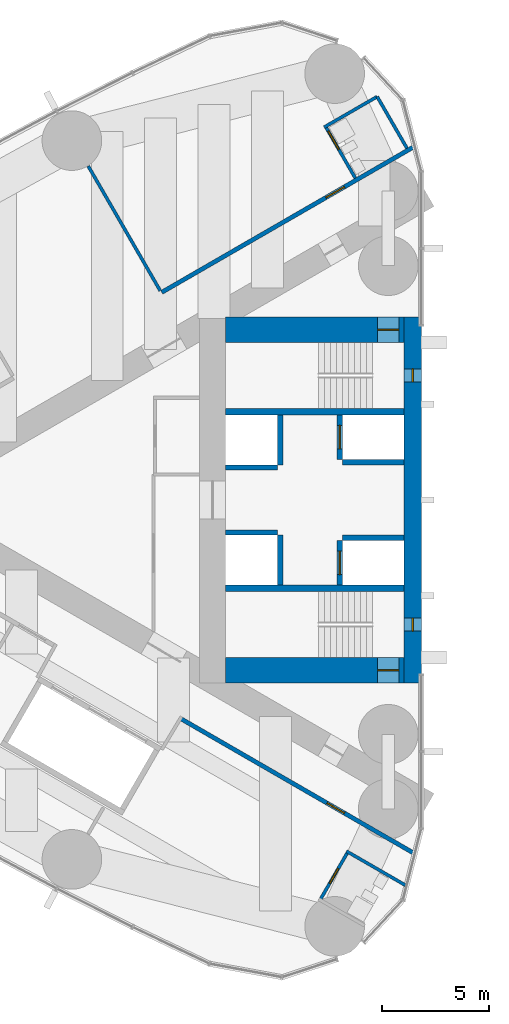
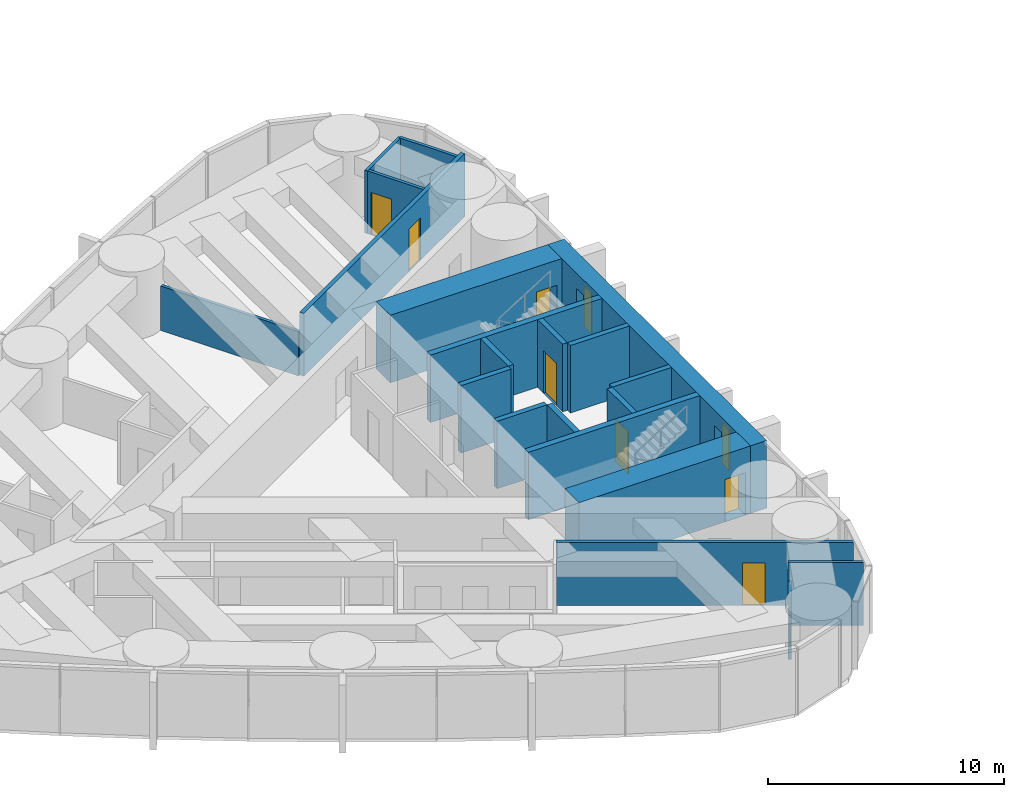
# One storey, part 13 of 18: 21 walls, 8 doors, 2 windows, 10 openings.
"""IFC4 building model written with IfcOpenShell, lengths in metres."""

from ifc_helpers import new_model, si_unit, direction, frame, frame_2d, origin, place, context, subcontext, project, spatial, rectangle, extrude, material, layer, layer_set, type_object, element, fill, save


model = new_model("IFC4")

# Units and contexts
model_context = context("Model", 3, precision=1e-05, world=origin(), true_north=direction((0.0, 1.0)))
body_context = subcontext(model_context, "Body", "Model", "MODEL_VIEW")
ifc_project = project(units=[si_unit("LENGTHUNIT", "METRE"), si_unit("AREAUNIT", "SQUARE_METRE"), si_unit("VOLUMEUNIT", "CUBIC_METRE"), si_unit("PLANEANGLEUNIT", "RADIAN"), si_unit("MASSUNIT", "GRAM", prefix="KILO")], contexts=[model_context])

# Site, building, storey
site_placement = place(None, origin())
site = spatial("IfcSite", under=ifc_project, at=site_placement, CompositionType="ELEMENT")
building_placement = place(site_placement, origin())
building = spatial("IfcBuilding", under=site, at=building_placement, Name="Lancet Gate Hotel", CompositionType="ELEMENT")
storey_placement = place(building_placement, frame((0.0, 0.0, 187.800048828125)))
storey = spatial("IfcBuildingStorey", under=building, at=storey_placement, Name="L50", CompositionType="ELEMENT", Elevation=187.800048828125)

# Wall
ifc_material_1 = material(Name="Moisture resistant board partition")
ifc_layer_1 = layer(ifc_material_1, 0.14990234375)
ifc_layer_set_1 = layer_set([ifc_layer_1], Name="Bathroom wall 150")
wall_type_1 = type_object("IfcWallType", Name="Bathroom wall 150", PredefinedType="PARTITIONING", material=ifc_layer_set_1)
wall_1_placement = place(storey_placement, frame((-29.56982421875, 18.936279296875, 0.0), z_axis=(0.0, 0.0, 1.0), x_axis=(-0.866018712932, -0.500011588718, 0.0)))
element("IfcWall", 1, at=wall_1_placement, inside=storey, type_object=wall_type_1, Name="T1 bathroom wall 150 L50", PredefinedType="PARTITIONING", context=body_context, shape_type="SweptSolid", body=[
    extrude(rectangle(XDim=2.875, YDim=0.14990234375, at=frame_2d((1.4375, 0.0))), origin(), (0.0, 0.0, 1.0), 3.25),
])

# Wall, opening, door
wall_2_placement = place(storey_placement, frame((-30.5947265625, 15.111328125, 0.0), z_axis=(0.0, 0.0, 1.0), x_axis=(-0.49998411664, 0.866034573852, 0.0)))
wall_2 = element("IfcWall", 2, at=wall_2_placement, inside=storey, type_object=wall_type_1, Name="T1 bathroom wall 150 L50", PredefinedType="PARTITIONING", context=body_context, shape_type="SweptSolid", body=[
    extrude(rectangle(XDim=2.7998046875, YDim=0.14990234375, at=frame_2d((1.39990234375, 0.0))), origin(), (0.0, 0.0, 1.0), 3.25),
])
opening_1_placement = place(wall_2_placement, frame((1.550048828125, 0.0, 0.0)))
opening_1 = element("IfcOpeningElement", 3, at=opening_1_placement, cuts=wall_2, Name="Opening 5001-B", PredefinedType="OPENING", context=body_context, shape_type="SweptSolid", body=[
    extrude(rectangle(XDim=1.0, YDim=2.199951171875, at=frame_2d((0.5, 1.10009765625))), frame((0.0, 0.0849609375, 0.0), z_axis=(0.0, -1.0, 0.0), x_axis=(1.0, 0.0, 0.0)), (0.0, 0.0, 1.0), 0.169921875),
])
ifc_material_2 = material(Name="Timber door set", Category="wood")
door_type_1 = type_object("IfcDoorType", Name="Accessible en-suite door 1000", OperationType="SINGLE_SWING_RIGHT", PredefinedType="DOOR", material=ifc_material_2)
door_1_placement = place(opening_1_placement, origin())
door_1 = element("IfcDoor", 4, at=door_1_placement, inside=storey, type_object=door_type_1, Name="5001-B", OperationType="SINGLE_SWING_RIGHT", OverallHeight=2.199951171875, OverallWidth=1.0, PredefinedType="DOOR", context=body_context, shape_type="SweptSolid", body=[
    extrude(rectangle(XDim=1.0, YDim=2.199951171875, at=frame_2d((0.5, 1.10009765625))), frame((0.0, 0.02490234375, 0.0), z_axis=(0.0, -1.0, 0.0), x_axis=(1.0, 0.0, 0.0)), (0.0, 0.0, 1.0), 0.050048828125),
])
fill(opening_1, door_1)

# Wall
wall_3_placement = place(storey_placement, frame((-28.169921875, 16.51123046875, 0.0), z_axis=(0.0, 0.0, 1.0), x_axis=(-0.49994636267, 0.866056369097, 0.0)))
element("IfcWall", 5, at=wall_3_placement, inside=storey, type_object=wall_type_1, Name="T1 bathroom wall 150 L50", PredefinedType="PARTITIONING", context=body_context, shape_type="SweptSolid", body=[
    extrude(rectangle(XDim=2.800048828125, YDim=0.14990234375, at=frame_2d((1.39990234375, 0.0))), origin(), (0.0, 0.0, 1.0), 3.25),
])

# Wall, opening, door
wall_4_placement = place(storey_placement, frame((-30.9482421875, -16.523681640625, 0.0), z_axis=(0.0, 0.0, 1.0), x_axis=(-0.500006934395, -0.866021400173, 0.0)))
wall_4 = element("IfcWall", 6, at=wall_4_placement, inside=storey, type_object=wall_type_1, Name="T1 bathroom wall 150 L50", PredefinedType="PARTITIONING", context=body_context, shape_type="SweptSolid", body=[
    extrude(rectangle(XDim=2.60009765625, YDim=0.14990234375, at=frame_2d((1.300048828125, 0.0))), origin(), (0.0, 0.0, 1.0), 2.300048828125),
])
opening_2_placement = place(wall_4_placement, frame((0.89990234375, 0.0, 0.0)))
opening_2 = element("IfcOpeningElement", 7, at=opening_2_placement, cuts=wall_4, Name="Opening 5008-B", PredefinedType="OPENING", context=body_context, shape_type="SweptSolid", body=[
    extrude(rectangle(XDim=0.800048828125, YDim=2.199951171875, at=frame_2d((0.39990234375, 1.10009765625))), frame((0.0, 0.0849609375, 0.0), z_axis=(0.0, -1.0, 0.0), x_axis=(1.0, 0.0, 0.0)), (0.0, 0.0, 1.0), 0.169921875),
])
ifc_material_3 = material(Name="Timber door set", Category="wood")
door_type_2 = type_object("IfcDoorType", Name="Bathroom door 800", OperationType="SINGLE_SWING_RIGHT", PredefinedType="DOOR", material=ifc_material_3)
door_2_placement = place(opening_2_placement, origin())
door_2 = element("IfcDoor", 8, at=door_2_placement, inside=storey, type_object=door_type_2, Name="5008-B", OperationType="SINGLE_SWING_RIGHT", OverallHeight=2.199951171875, OverallWidth=0.800048828125, PredefinedType="DOOR", context=body_context, shape_type="SweptSolid", body=[
    extrude(rectangle(XDim=0.800048828125, YDim=2.199951171875, at=frame_2d((0.39990234375, 1.10009765625))), frame((0.0, 0.02490234375, 0.0), z_axis=(0.0, -1.0, 0.0), x_axis=(1.0, 0.0, 0.0)), (0.0, 0.0, 1.0), 0.050048828125),
])
fill(opening_2, door_2)

# Wall
wall_5_placement = place(storey_placement, frame((-28.246337890625, -18.083740234375, 0.0), z_axis=(0.0, 0.0, 1.0), x_axis=(-0.866029063467, 0.49999366119, 0.0)))
element("IfcWall", 9, at=wall_5_placement, inside=storey, type_object=wall_type_1, Name="T1 bathroom wall 150 L50", PredefinedType="PARTITIONING", context=body_context, shape_type="SweptSolid", body=[
    extrude(rectangle(XDim=3.19482421875, YDim=0.14990234375, at=frame_2d((1.597412109375, 0.0))), origin(), (0.0, 0.0, 1.0), 3.25),
])

# Wall, opening, door
ifc_material_4 = material(Name="Concrete C70/85", Category="concrete")
ifc_layer_2 = layer(ifc_material_4, 1.199951171875)
ifc_layer_set_2 = layer_set([ifc_layer_2], Name="Core wall 1200")
wall_type_2 = type_object("IfcWallType", Name="Core wall 1200", PredefinedType="SHEAR", material=ifc_layer_set_2)
wall_6_placement = place(storey_placement, frame((-28.300048828125, 8.0, 0.0), z_axis=(0.0, 0.0, 1.0), x_axis=(-1.0, 0.0, 0.0)))
wall_6 = element("IfcWall", 10, at=wall_6_placement, inside=storey, type_object=wall_type_2, Name="T1 core wall side-S L50", PredefinedType="SHEAR", context=body_context, shape_type="SweptSolid", body=[
    extrude(rectangle(XDim=8.39990234375, YDim=1.199951171875, at=frame_2d((4.199951171875, 0.0))), origin(), (0.0, 0.0, 1.0), 3.5),
])
opening_3_placement = place(wall_6_placement, frame((0.25, 0.0, 0.0)))
opening_3 = element("IfcOpeningElement", 11, at=opening_3_placement, cuts=wall_6, Name="Opening T1-L50-ST1", PredefinedType="OPENING", context=body_context, shape_type="SweptSolid", body=[
    extrude(rectangle(XDim=1.0, YDim=2.199951171875, at=frame_2d((0.5, 1.10009765625))), frame((0.0, 0.60986328125, 0.0), z_axis=(0.0, -1.0, 0.0), x_axis=(1.0, 0.0, 0.0)), (0.0, 0.0, 1.0), 1.219970703125),
])
ifc_material_5 = material(Name="Timber door set", Category="wood")
door_type_3 = type_object("IfcDoorType", Name="Stair door 1000", OperationType="SINGLE_SWING_RIGHT", PredefinedType="DOOR", material=ifc_material_5)
door_3_placement = place(opening_3_placement, origin())
door_3 = element("IfcDoor", 12, at=door_3_placement, inside=storey, type_object=door_type_3, Name="T1-L50-ST1", OperationType="SINGLE_SWING_RIGHT", OverallHeight=2.199951171875, OverallWidth=1.0, PredefinedType="DOOR", context=body_context, shape_type="SweptSolid", body=[
    extrude(rectangle(XDim=1.0, YDim=2.199951171875, at=frame_2d((0.5, 1.10009765625))), frame((0.0, 0.02490234375, 0.0), z_axis=(0.0, -1.0, 0.0), x_axis=(1.0, 0.0, 0.0)), (0.0, 0.0, 1.0), 0.050048828125),
])
fill(opening_3, door_3)

wall_7_placement = place(storey_placement, frame((-28.300048828125, -8.0, 0.0), z_axis=(0.0, 0.0, 1.0), x_axis=(-1.0, 0.0, 0.0)))
wall_7 = element("IfcWall", 13, at=wall_7_placement, inside=storey, type_object=wall_type_2, Name="T1 core wall side-N L50", PredefinedType="SHEAR", context=body_context, shape_type="SweptSolid", body=[
    extrude(rectangle(XDim=8.39990234375, YDim=1.199951171875, at=frame_2d((4.199951171875, 0.0))), origin(), (0.0, 0.0, 1.0), 3.5),
])
opening_4_placement = place(wall_7_placement, frame((0.25, 0.0, 0.0)))
opening_4 = element("IfcOpeningElement", 14, at=opening_4_placement, cuts=wall_7, Name="Opening T1-L50-ST2", PredefinedType="OPENING", context=body_context, shape_type="SweptSolid", body=[
    extrude(rectangle(XDim=1.0, YDim=2.199951171875, at=frame_2d((0.5, 1.10009765625))), frame((0.0, 0.60986328125, 0.0), z_axis=(0.0, -1.0, 0.0), x_axis=(1.0, 0.0, 0.0)), (0.0, 0.0, 1.0), 1.219970703125),
])
door_4_placement = place(opening_4_placement, origin())
door_4 = element("IfcDoor", 15, at=door_4_placement, inside=storey, type_object=door_type_3, Name="T1-L50-ST2", OperationType="SINGLE_SWING_RIGHT", OverallHeight=2.199951171875, OverallWidth=1.0, PredefinedType="DOOR", context=body_context, shape_type="SweptSolid", body=[
    extrude(rectangle(XDim=1.0, YDim=2.199951171875, at=frame_2d((0.5, 1.10009765625))), frame((0.0, 0.02490234375, 0.0), z_axis=(0.0, -1.0, 0.0), x_axis=(1.0, 0.0, 0.0)), (0.0, 0.0, 1.0), 0.050048828125),
])
fill(opening_4, door_4)

# Wall, openings, windows
ifc_material_6 = material(Name="Concrete C70/85", Category="concrete")
ifc_layer_3 = layer(ifc_material_6, 0.800048828125)
ifc_layer_set_3 = layer_set([ifc_layer_3], Name="Core wall 800")
wall_type_3 = type_object("IfcWallType", Name="Core wall 800", PredefinedType="SHEAR", material=ifc_layer_set_3)
wall_8_placement = place(storey_placement, frame((-27.89990234375, 8.60009765625, 0.0), z_axis=(0.0, 0.0, 1.0), x_axis=(0.0, -1.0, 0.0)))
wall_8 = element("IfcWall", 16, at=wall_8_placement, inside=storey, type_object=wall_type_3, Name="T1 core wall front L50", PredefinedType="SHEAR", context=body_context, shape_type="SweptSolid", body=[
    extrude(rectangle(XDim=17.2001953125, YDim=0.800048828125, at=frame_2d((8.60009765625, 0.0))), origin(), (0.0, 0.0, 1.0), 3.5),
])
opening_5_placement = place(wall_8_placement, frame((2.449951171875, 0.0, 0.60009765625)))
opening_5 = element("IfcOpeningElement", 17, at=opening_5_placement, cuts=wall_8, Name="Opening LW1", PredefinedType="OPENING", context=body_context, shape_type="SweptSolid", body=[
    extrude(rectangle(XDim=0.60009765625, YDim=2.10009765625, at=frame_2d((0.300048828125, 1.050048828125))), frame((0.0, 0.409912109375, 0.0), z_axis=(0.0, -1.0, 0.0), x_axis=(1.0, 0.0, 0.0)), (0.0, 0.0, 1.0), 0.820068359375),
])
opening_6_placement = place(wall_8_placement, frame((14.14990234375, 0.0, 0.60009765625)))
opening_6 = element("IfcOpeningElement", 18, at=opening_6_placement, cuts=wall_8, Name="Opening LW1", PredefinedType="OPENING", context=body_context, shape_type="SweptSolid", body=[
    extrude(rectangle(XDim=0.60009765625, YDim=2.10009765625, at=frame_2d((0.300048828125, 1.050048828125))), frame((0.0, 0.409912109375, 0.0), z_axis=(0.0, -1.0, 0.0), x_axis=(1.0, 0.0, 0.0)), (0.0, 0.0, 1.0), 0.820068359375),
])
ifc_material_7 = material(Name="Fire-resisting glazed steel window", Category="steel")
window_type = type_object("IfcWindowType", Name="Lancet window 600x2100", PartitioningType="SINGLE_PANEL", PredefinedType="WINDOW", material=ifc_material_7)
window_1_placement = place(opening_5_placement, origin())
window_1 = element("IfcWindow", 19, at=window_1_placement, inside=storey, type_object=window_type, Name="T1 stair window S L50", OverallHeight=2.10009765625, OverallWidth=0.60009765625, PartitioningType="SINGLE_PANEL", PredefinedType="WINDOW", context=body_context, shape_type="SweptSolid", body=[
    extrude(rectangle(XDim=0.60009765625, YDim=2.10009765625, at=frame_2d((0.300048828125, 1.050048828125))), frame((0.0, 0.030029296875, 0.0), z_axis=(0.0, -1.0, 0.0), x_axis=(1.0, 0.0, 0.0)), (0.0, 0.0, 1.0), 0.06005859375),
])
fill(opening_5, window_1)
window_2_placement = place(opening_6_placement, origin())
window_2 = element("IfcWindow", 20, at=window_2_placement, inside=storey, type_object=window_type, Name="T1 stair window N L50", OverallHeight=2.10009765625, OverallWidth=0.60009765625, PartitioningType="SINGLE_PANEL", PredefinedType="WINDOW", context=body_context, shape_type="SweptSolid", body=[
    extrude(rectangle(XDim=0.60009765625, YDim=2.10009765625, at=frame_2d((0.300048828125, 1.050048828125))), frame((0.0, 0.030029296875, 0.0), z_axis=(0.0, -1.0, 0.0), x_axis=(1.0, 0.0, 0.0)), (0.0, 0.0, 1.0), 0.06005859375),
])
fill(opening_6, window_2)

# Wall, opening, door
ifc_material_8 = material(Name="Gypsum board partition")
ifc_layer_4 = layer(ifc_material_8, 0.199951171875)
ifc_layer_set_4 = layer_set([ifc_layer_4], Name="Corridor wall 200")
wall_type_4 = type_object("IfcWallType", Name="Corridor wall 200", PredefinedType="PARTITIONING", material=ifc_layer_set_4)
wall_9_placement = place(storey_placement, frame((-27.860107421875, -16.57470703125, 0.0), z_axis=(0.0, 0.0, 1.0), x_axis=(-0.866027756871, 0.499995924312, 0.0)))
wall_9 = element("IfcWall", 21, at=wall_9_placement, inside=storey, type_object=wall_type_4, Name="T1 corridor wall 200 L50", PredefinedType="PARTITIONING", context=body_context, shape_type="SweptSolid", body=[
    extrude(rectangle(XDim=12.6220703125, YDim=0.199951171875, at=frame_2d((6.31103515625, 0.0))), origin(), (0.0, 0.0, 1.0), 3.25),
])
opening_7_placement = place(wall_9_placement, frame((3.75, 0.0, 0.0)))
opening_7 = element("IfcOpeningElement", 22, at=opening_7_placement, cuts=wall_9, Name="Opening 5008-E", PredefinedType="OPENING", context=body_context, shape_type="SweptSolid", body=[
    extrude(rectangle(XDim=0.949951171875, YDim=2.199951171875, at=frame_2d((0.47509765625, 1.10009765625))), frame((0.0, 0.10986328125, 0.0), z_axis=(0.0, -1.0, 0.0), x_axis=(1.0, 0.0, 0.0)), (0.0, 0.0, 1.0), 0.219970703125),
])
ifc_material_9 = material(Name="Timber door set", Category="wood")
door_type_4 = type_object("IfcDoorType", Name="Guest room entry door 950", OperationType="SINGLE_SWING_LEFT", PredefinedType="DOOR", material=ifc_material_9)
door_5_placement = place(opening_7_placement, origin())
door_5 = element("IfcDoor", 23, at=door_5_placement, inside=storey, type_object=door_type_4, Name="5008-E", OperationType="SINGLE_SWING_LEFT", OverallHeight=2.199951171875, OverallWidth=0.949951171875, PredefinedType="DOOR", context=body_context, shape_type="SweptSolid", body=[
    extrude(rectangle(XDim=0.949951171875, YDim=2.199951171875, at=frame_2d((0.47509765625, 1.10009765625))), frame((0.0, 0.02490234375, 0.0), z_axis=(0.0, -1.0, 0.0), x_axis=(1.0, 0.0, 0.0)), (0.0, 0.0, 1.0), 0.050048828125),
])
fill(opening_7, door_5)

wall_10_placement = place(storey_placement, frame((-27.860107421875, 16.57470703125, 0.0), z_axis=(0.0, 0.0, 1.0), x_axis=(-0.866026850238, -0.499997494661, 0.0)))
wall_10 = element("IfcWall", 24, at=wall_10_placement, inside=storey, type_object=wall_type_4, Name="T1 corridor wall 200 L50", PredefinedType="PARTITIONING", context=body_context, shape_type="SweptSolid", body=[
    extrude(rectangle(XDim=13.6513671875, YDim=0.199951171875, at=frame_2d((6.82568359375, 0.0))), origin(), (0.0, 0.0, 1.0), 3.25),
])
opening_8_placement = place(wall_10_placement, frame((3.75, 0.0, 0.0)))
opening_8 = element("IfcOpeningElement", 25, at=opening_8_placement, cuts=wall_10, Name="Opening 5001-E", PredefinedType="OPENING", context=body_context, shape_type="SweptSolid", body=[
    extrude(rectangle(XDim=1.0, YDim=2.199951171875, at=frame_2d((0.5, 1.10009765625))), frame((0.0, 0.10986328125, 0.0), z_axis=(0.0, -1.0, 0.0), x_axis=(1.0, 0.0, 0.0)), (0.0, 0.0, 1.0), 0.219970703125),
])
ifc_material_10 = material(Name="Timber door set", Category="wood")
door_type_5 = type_object("IfcDoorType", Name="Accessible guest room door 1000", OperationType="SINGLE_SWING_LEFT", PredefinedType="DOOR", material=ifc_material_10)
door_6_placement = place(opening_8_placement, origin())
door_6 = element("IfcDoor", 26, at=door_6_placement, inside=storey, type_object=door_type_5, Name="5001-E", OperationType="SINGLE_SWING_LEFT", OverallHeight=2.199951171875, OverallWidth=1.0, PredefinedType="DOOR", context=body_context, shape_type="SweptSolid", body=[
    extrude(rectangle(XDim=1.0, YDim=2.199951171875, at=frame_2d((0.5, 1.10009765625))), frame((0.0, 0.02490234375, 0.0), z_axis=(0.0, -1.0, 0.0), x_axis=(1.0, 0.0, 0.0)), (0.0, 0.0, 1.0), 0.050048828125),
])
fill(opening_8, door_6)

ifc_material_11 = material(Name="Concrete C50/60", Category="concrete")
ifc_layer_5 = layer(ifc_material_11, 0.25)
ifc_layer_set_5 = layer_set([ifc_layer_5], Name="Lift shaft wall 250")
wall_type_5 = type_object("IfcWallType", Name="Lift shaft wall 250", PredefinedType="SHEAR", material=ifc_layer_set_5)
wall_11_placement = place(storey_placement, frame((-31.324951171875, 4.0, 0.0), z_axis=(0.0, 0.0, 1.0), x_axis=(0.0, -1.0, 0.0)))
wall_11 = element("IfcWall", 27, at=wall_11_placement, inside=storey, type_object=wall_type_5, Name="T1 core wall row1-S L50", PredefinedType="SHEAR", context=body_context, shape_type="SweptSolid", body=[
    extrude(rectangle(XDim=2.10009765625, YDim=0.25, at=frame_2d((1.050048828125, 0.0))), origin(), (0.0, 0.0, 1.0), 3.5),
])
opening_9_placement = place(wall_11_placement, frame((0.5, 0.0, 0.0)))
opening_9 = element("IfcOpeningElement", 28, at=opening_9_placement, cuts=wall_11, Name="Opening T1-SL1-L50", PredefinedType="OPENING", context=body_context, shape_type="SweptSolid", body=[
    extrude(rectangle(XDim=1.10009765625, YDim=2.199951171875, at=frame_2d((0.550048828125, 1.10009765625))), frame((0.0, 0.135009765625, 0.0), z_axis=(0.0, -1.0, 0.0), x_axis=(1.0, 0.0, 0.0)), (0.0, 0.0, 1.0), 0.27001953125),
])
ifc_material_12 = material(Name="Timber door set", Category="wood")
door_type_6 = type_object("IfcDoorType", Name="Service lift landing door 1100", OperationType="SLIDING_TO_LEFT", PredefinedType="USERDEFINED", material=ifc_material_12)
door_7_placement = place(opening_9_placement, origin())
door_7 = element("IfcDoor", 29, at=door_7_placement, inside=storey, type_object=door_type_6, Name="T1-SL1-L50", ObjectType="LIFT LANDING DOOR", OperationType="SLIDING_TO_LEFT", OverallHeight=2.199951171875, OverallWidth=1.10009765625, PredefinedType="USERDEFINED", context=body_context, shape_type="SweptSolid", body=[
    extrude(rectangle(XDim=1.10009765625, YDim=2.199951171875, at=frame_2d((0.550048828125, 1.10009765625))), frame((0.0, 0.02490234375, 0.0), z_axis=(0.0, -1.0, 0.0), x_axis=(1.0, 0.0, 0.0)), (0.0, 0.0, 1.0), 0.050048828125),
])
fill(opening_9, door_7)

# Walls
wall_12_placement = place(storey_placement, frame((-34.125, 4.0, 0.0), z_axis=(0.0, 0.0, 1.0), x_axis=(0.0, -1.0, 0.0)))
element("IfcWall", 30, at=wall_12_placement, inside=storey, type_object=wall_type_5, Name="T1 core wall row2-S L50", PredefinedType="SHEAR", context=body_context, shape_type="SweptSolid", body=[
    extrude(rectangle(XDim=2.35009765625, YDim=0.25, at=frame_2d((1.175048828125, 0.0))), origin(), (0.0, 0.0, 1.0), 3.5),
])
wall_13_placement = place(storey_placement, frame((-28.300048828125, 1.77490234375, 0.0), z_axis=(0.0, 0.0, 1.0), x_axis=(-1.0, 0.0, 0.0)))
element("IfcWall", 31, at=wall_13_placement, inside=storey, type_object=wall_type_5, Name="T1 core wall pass1-S L50", PredefinedType="SHEAR", context=body_context, shape_type="SweptSolid", body=[
    extrude(rectangle(XDim=2.89990234375, YDim=0.25, at=frame_2d((1.449951171875, 0.0))), origin(), (0.0, 0.0, 1.0), 3.5),
])
wall_14_placement = place(storey_placement, frame((-34.25, 1.52490234375, 0.0), z_axis=(0.0, 0.0, 1.0), x_axis=(-1.0, 0.0, 0.0)))
element("IfcWall", 32, at=wall_14_placement, inside=storey, type_object=wall_type_5, Name="T1 core wall pass2-S L50", PredefinedType="SHEAR", context=body_context, shape_type="SweptSolid", body=[
    extrude(rectangle(XDim=2.449951171875, YDim=0.25, at=frame_2d((1.22509765625, 0.0))), origin(), (0.0, 0.0, 1.0), 3.5),
])

# Wall, opening, door
wall_15_placement = place(storey_placement, frame((-31.324951171875, -1.89990234375, 0.0), z_axis=(0.0, 0.0, 1.0), x_axis=(0.0, -1.0, 0.0)))
wall_15 = element("IfcWall", 33, at=wall_15_placement, inside=storey, type_object=wall_type_5, Name="T1 core wall row1-N L50", PredefinedType="SHEAR", context=body_context, shape_type="SweptSolid", body=[
    extrude(rectangle(XDim=2.10009765625, YDim=0.25, at=frame_2d((1.050048828125, 0.0))), origin(), (0.0, 0.0, 1.0), 3.5),
])
opening_10_placement = place(wall_15_placement, frame((0.5, 0.0, 0.0)))
opening_10 = element("IfcOpeningElement", 34, at=opening_10_placement, cuts=wall_15, Name="Opening T1-FL2-L50", PredefinedType="OPENING", context=body_context, shape_type="SweptSolid", body=[
    extrude(rectangle(XDim=1.10009765625, YDim=2.199951171875, at=frame_2d((0.550048828125, 1.10009765625))), frame((0.0, 0.135009765625, 0.0), z_axis=(0.0, -1.0, 0.0), x_axis=(1.0, 0.0, 0.0)), (0.0, 0.0, 1.0), 0.27001953125),
])
ifc_material_13 = material(Name="Steel door set", Category="steel")
door_type_7 = type_object("IfcDoorType", Name="Firefighting lift landing door 1100", OperationType="SLIDING_TO_LEFT", PredefinedType="USERDEFINED", material=ifc_material_13)
door_8_placement = place(opening_10_placement, origin())
door_8 = element("IfcDoor", 35, at=door_8_placement, inside=storey, type_object=door_type_7, Name="T1-FL2-L50", ObjectType="LIFT LANDING DOOR", OperationType="SLIDING_TO_LEFT", OverallHeight=2.199951171875, OverallWidth=1.10009765625, PredefinedType="USERDEFINED", context=body_context, shape_type="SweptSolid", body=[
    extrude(rectangle(XDim=1.10009765625, YDim=2.199951171875, at=frame_2d((0.550048828125, 1.10009765625))), frame((0.0, 0.02490234375, 0.0), z_axis=(0.0, -1.0, 0.0), x_axis=(1.0, 0.0, 0.0)), (0.0, 0.0, 1.0), 0.050048828125),
])
fill(opening_10, door_8)

# Walls
wall_16_placement = place(storey_placement, frame((-34.125, -1.64990234375, 0.0), z_axis=(0.0, 0.0, 1.0), x_axis=(0.0, -1.0, 0.0)))
element("IfcWall", 36, at=wall_16_placement, inside=storey, type_object=wall_type_5, Name="T1 core wall row2-N L50", PredefinedType="SHEAR", context=body_context, shape_type="SweptSolid", body=[
    extrude(rectangle(XDim=2.35009765625, YDim=0.25, at=frame_2d((1.175048828125, 0.0))), origin(), (0.0, 0.0, 1.0), 3.5),
])
wall_17_placement = place(storey_placement, frame((-28.300048828125, -1.77490234375, 0.0), z_axis=(0.0, 0.0, 1.0), x_axis=(-1.0, 0.0, 0.0)))
element("IfcWall", 37, at=wall_17_placement, inside=storey, type_object=wall_type_5, Name="T1 core wall pass1-N L50", PredefinedType="SHEAR", context=body_context, shape_type="SweptSolid", body=[
    extrude(rectangle(XDim=2.89990234375, YDim=0.25, at=frame_2d((1.449951171875, 0.0))), origin(), (0.0, 0.0, 1.0), 3.5),
])
wall_18_placement = place(storey_placement, frame((-34.25, -1.52490234375, 0.0), z_axis=(0.0, 0.0, 1.0), x_axis=(-1.0, 0.0, 0.0)))
element("IfcWall", 38, at=wall_18_placement, inside=storey, type_object=wall_type_5, Name="T1 core wall pass2-N L50", PredefinedType="SHEAR", context=body_context, shape_type="SweptSolid", body=[
    extrude(rectangle(XDim=2.449951171875, YDim=0.25, at=frame_2d((1.22509765625, 0.0))), origin(), (0.0, 0.0, 1.0), 3.5),
])
ifc_material_14 = material(Name="Gypsum board partition")
ifc_layer_6 = layer(ifc_material_14, 0.14990234375)
ifc_layer_set_6 = layer_set([ifc_layer_6], Name="Party wall 150")
wall_type_6 = type_object("IfcWallType", Name="Party wall 150", PredefinedType="PARTITIONING", material=ifc_layer_set_6)
wall_19_placement = place(storey_placement, frame((-39.75439453125, 9.822998046875, 0.0), z_axis=(0.0, 0.0, 1.0), x_axis=(-0.499997670926, 0.866026748472, 0.0)))
element("IfcWall", 39, at=wall_19_placement, inside=storey, type_object=wall_type_6, Name="T1 party wall 150 L50", PredefinedType="PARTITIONING", context=body_context, shape_type="SweptSolid", body=[
    extrude(rectangle(XDim=6.75732421875, YDim=0.14990234375, at=frame_2d((3.378662109375, 0.0))), origin(), (0.0, 0.0, 1.0), 2.300048828125),
])
ifc_material_15 = material(Name="Concrete C50/60", Category="concrete")
ifc_layer_7 = layer(ifc_material_15, 0.300048828125)
ifc_layer_set_7 = layer_set([ifc_layer_7], Name="Stair enclosure wall 300")
wall_type_7 = type_object("IfcWallType", Name="Stair enclosure wall 300", PredefinedType="SHEAR", material=ifc_layer_set_7)
for number, where, z_axis, x_axis, name in (
    (40, (-28.300048828125, 4.14990234375, 0.0), (0.0, 0.0, 1.0), (-1.0, 0.0, 0.0), "T1 core wall stair-S L50"),
    (41, (-28.300048828125, -4.14990234375, 0.0), (0.0, 0.0, 1.0), (-1.0, 0.0, 0.0), "T1 core wall stair-N L50"),
):
    element("IfcWall", number, at=place(storey_placement, frame(where, z_axis=z_axis, x_axis=x_axis)), inside=storey, type_object=wall_type_7, Name=name, PredefinedType="SHEAR", context=body_context, shape_type="SweptSolid", body=[
        extrude(rectangle(XDim=8.39990234375, YDim=0.300048828125, at=frame_2d((4.199951171875, 0.0))), origin(), (0.0, 0.0, 1.0), 3.5),
    ])

save(model, "model.ifc")
